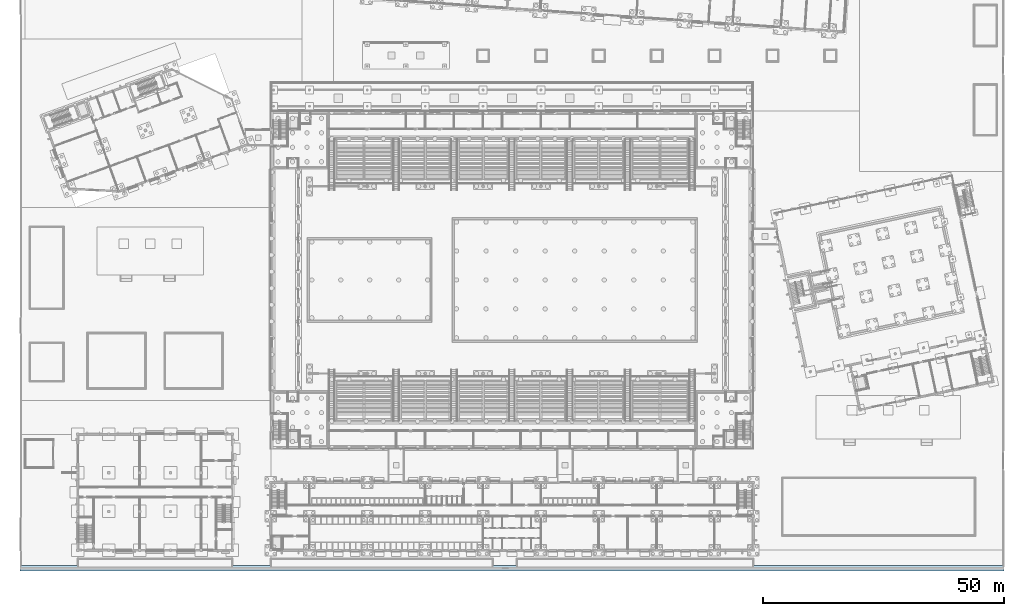
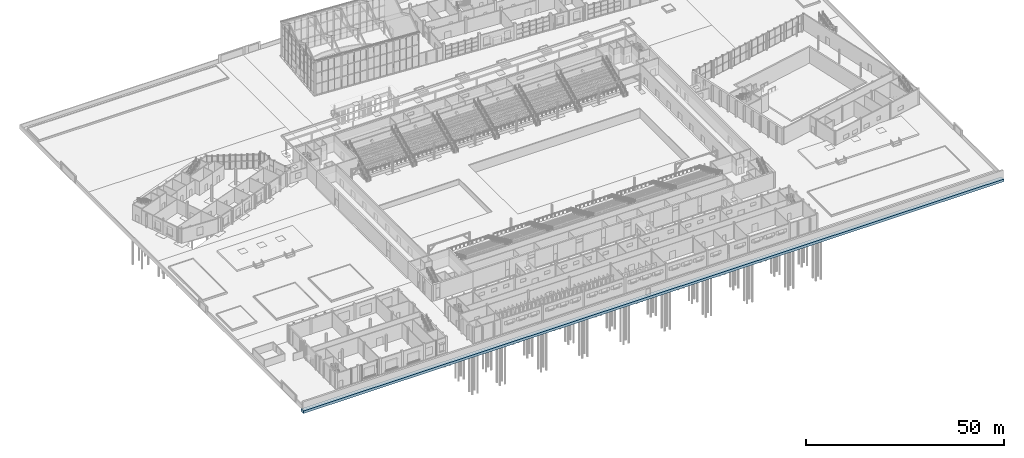
# One storey, part 2 of 157: 1 footing.
"""IFC4 building model written with IfcOpenShell, lengths in metres."""

import ifcopenshell
import ifcopenshell.guid

model = None  # the IFC model being written
_history = None  # IfcOwnerHistory: only IFC2X3 demands one
_inside = {}  # id of a spatial element -> (the spatial element, [elements in it])
_under = {}  # id of a project, library or spatial element -> (it, [spatial elements below it])
_declared = {}  # id of a project -> (the project, [libraries it declares])
_typed = {}  # id of a type object -> (the type object, [elements of that type])
_made_of = {}  # id of a material, layer set ... -> (it, [elements and type objects made of it])


def new_model(schema):
    """Start an empty IFC model of exactly this schema.

    Asked for "IFC4X3", IfcOpenShell would pick the latest addendum, in which some entities
    have other attributes; the version numbers below select the first issue.
    IFC2X3 requires an IfcOwnerHistory on every rooted entity: one is made here for all.
    """
    global model, _history
    if schema == "IFC4X3":
        model = ifcopenshell.file(schema_version=(4, 3, 0, 0))
    else:
        model = ifcopenshell.file(schema=schema)
    _inside.clear()
    _under.clear()
    _declared.clear()
    _typed.clear()
    _made_of.clear()
    _history = None
    if model.schema == "IFC2X3":
        org = make("IfcOrganization", Name="unknown")
        user = make(
            "IfcPersonAndOrganization",
            ThePerson=make("IfcPerson", FamilyName="unknown"),
            TheOrganization=org,
        )
        app = make(
            "IfcApplication",
            ApplicationDeveloper=org,
            Version="unknown",
            ApplicationFullName="unknown",
            ApplicationIdentifier="unknown",
        )
        _history = make(
            "IfcOwnerHistory",
            OwningUser=user,
            OwningApplication=app,
            ChangeAction="ADDED",
            CreationDate=0,
        )
    return model


def make(cls, **values):
    """One entity of the class cls with the attributes given. An attribute that is None is left unset."""
    return model.create_entity(
        cls, **{name: value for name, value in values.items() if value is not None}
    )


def rooted(cls, **values):
    """An entity with a GlobalId (a new one), such as an element, a storey or a relation."""
    return make(cls, GlobalId=ifcopenshell.guid.new(), OwnerHistory=_history, **values)


def si_unit(unit_type, name, prefix=None):
    """IfcSIUnit, for example si_unit("LENGTHUNIT", "METRE", prefix="MILLI")."""
    return make("IfcSIUnit", UnitType=unit_type, Prefix=prefix, Name=name)


def assignment(units):
    """IfcUnitAssignment: the units of a project."""
    return None if units is None else make("IfcUnitAssignment", Units=units)


def point(xyz):
    """IfcCartesianPoint."""
    return None if xyz is None else make("IfcCartesianPoint", Coordinates=xyz)


def direction(xyz):
    """IfcDirection."""
    return None if xyz is None else make("IfcDirection", DirectionRatios=xyz)


def frame(location, z_axis=None, x_axis=None):
    """IfcAxis2Placement3D, a coordinate frame: its origin and axes. An axis left out is left unset."""
    return make(
        "IfcAxis2Placement3D",
        Location=point(location),
        Axis=direction(z_axis),
        RefDirection=direction(x_axis),
    )


def origin():
    """The frame at (0, 0, 0) with its axes left unset."""
    return frame((0.0, 0.0, 0.0))


def place(relative_to, where):
    """IfcLocalPlacement: puts the frame where relative to a parent placement (None: the world)."""
    return make(
        "IfcLocalPlacement", PlacementRelTo=relative_to, RelativePlacement=where
    )


def context(
    kind, dimensions, precision=None, world=None, true_north=None, identifier=None
):
    """IfcGeometricRepresentationContext, for example the 3D "Model" context."""
    return make(
        "IfcGeometricRepresentationContext",
        ContextIdentifier=identifier,
        ContextType=kind,
        CoordinateSpaceDimension=dimensions,
        Precision=precision,
        WorldCoordinateSystem=world,
        TrueNorth=true_north,
    )


def subcontext(parent, identifier, kind, view, scale=None):
    """IfcGeometricRepresentationSubContext, for example "Body" below "Model"."""
    return make(
        "IfcGeometricRepresentationSubContext",
        ContextIdentifier=identifier,
        ContextType=kind,
        ParentContext=parent,
        TargetScale=scale,
        TargetView=view,
    )


def project(units=None, contexts=None):
    """IfcProject with its units and contexts."""
    return rooted(
        "IfcProject",
        Name="project",
        RepresentationContexts=contexts,
        UnitsInContext=assignment(units),
    )


def spatial(cls, under=None, at=None, **own):
    """A site, building, storey or space (cls), placed at a placement, below another one or the project."""
    s = rooted(cls, ObjectPlacement=at, **own)
    if under is not None:
        _under.setdefault(under.id(), (under, []))[1].append(s)
    return s


def polyline(points):
    """IfcPolyline through the points."""
    return make("IfcPolyline", Points=[point(p) for p in points])


def outline(outer, holes=None, kind="AREA"):
    """IfcArbitraryClosedProfileDef: a profile drawn as a closed curve; with holes, ...WithVoids."""
    if holes is None:
        return make("IfcArbitraryClosedProfileDef", ProfileType=kind, OuterCurve=outer)
    return make(
        "IfcArbitraryProfileDefWithVoids",
        ProfileType=kind,
        OuterCurve=outer,
        InnerCurves=holes,
    )


def extrude(swept, where, along, depth):
    """IfcExtrudedAreaSolid: the profile swept, set in the frame where, extruded along a direction by depth."""
    return make(
        "IfcExtrudedAreaSolid",
        SweptArea=swept,
        Position=where,
        ExtrudedDirection=direction(along),
        Depth=depth,
    )


def shape(context_of_items, identifier, shape_type, items):
    """IfcShapeRepresentation: the items that make up one representation, for example the "Body"."""
    return make(
        "IfcShapeRepresentation",
        ContextOfItems=context_of_items,
        RepresentationIdentifier=identifier,
        RepresentationType=shape_type,
        Items=items,
    )


def material(Name=None, Category=None):
    """IfcMaterial."""
    return make("IfcMaterial", Name=Name, Category=Category)


def made_of(thing, what):
    """Note that an element or type object is made of a material, layer set ...; save() writes the relation."""
    if what is not None:
        _made_of.setdefault(what.id(), (what, []))[1].append(thing)
    return thing


def type_object(cls, material=None, **own):
    """A type object (cls), such as IfcWallType, which elements share."""
    return made_of(rooted(cls, **own), material)


def element(
    cls,
    number,
    at=None,
    inside=None,
    cuts=None,
    type_object=None,
    material=None,
    context=None,
    identifier="Body",
    shape_type=None,
    held_by="IfcProductDefinitionShape",
    body=None,
    shapes=None,
    **own,
):
    """One element of the class cls, such as IfcWall. Its Tag is "e" and its number.

    at: its placement. inside: the storey or other place that contains it. cuts: it is an
    opening in that element (IfcRelVoidsElement). A single representation is given by context,
    identifier, shape_type and body (its items); several are given by shapes. held_by: the class
    of the entity that holds the representations. save() writes the other relations.
    """
    e = rooted(cls, Tag="e%d" % number, ObjectPlacement=at, **own)
    if body is not None:
        shapes = [shape(context, identifier, shape_type, body)]
    if shapes is not None:
        e.Representation = make(held_by, Representations=shapes)
    if inside is not None:
        _inside.setdefault(inside.id(), (inside, []))[1].append(e)
    if cuts is not None:
        rooted(
            "IfcRelVoidsElement", RelatingBuildingElement=cuts, RelatedOpeningElement=e
        )
    if type_object is not None:
        _typed.setdefault(type_object.id(), (type_object, []))[1].append(e)
    return made_of(e, material)


def aggregate(whole, parts):
    """IfcRelAggregates: a whole, such as a stair, and the parts it consists of."""
    return rooted("IfcRelAggregates", RelatingObject=whole, RelatedObjects=parts)


def save(model, path):
    """Write the relations noted so far, then the file.

    IfcRelAggregates (storeys below a building ...), IfcRelContainedInSpatialStructure (elements
    in a storey), IfcRelDefinesByType, IfcRelAssociatesMaterial and IfcRelDeclares: one each for
    every whole, place, type object, material and project.
    """
    for whole, parts in _under.values():
        aggregate(whole, parts)
    for where, things in _inside.values():
        rooted(
            "IfcRelContainedInSpatialStructure",
            RelatedElements=things,
            RelatingStructure=where,
        )
    for kind, things in _typed.values():
        rooted("IfcRelDefinesByType", RelatedObjects=things, RelatingType=kind)
    for what, things in _made_of.values():
        rooted("IfcRelAssociatesMaterial", RelatedObjects=things, RelatingMaterial=what)
    for by, libraries in _declared.values():
        rooted("IfcRelDeclares", RelatingContext=by, RelatedDefinitions=libraries)
    model.write(path)


model = new_model("IFC4")

# Units and contexts
model_context = context("Model", 3, precision=1e-05, world=origin(), true_north=direction((0.0, 1.0)))
body_context = subcontext(model_context, "Body", "Model", "MODEL_VIEW")
ifc_project = project(units=[si_unit("LENGTHUNIT", "METRE"), si_unit("AREAUNIT", "SQUARE_METRE"), si_unit("VOLUMEUNIT", "CUBIC_METRE"), si_unit("PLANEANGLEUNIT", "RADIAN"), si_unit("MASSUNIT", "GRAM", prefix="KILO")], contexts=[model_context])

# Site, building, storey
site_placement = place(None, origin())
site = spatial("IfcSite", under=ifc_project, at=site_placement, CompositionType="ELEMENT")
building_placement = place(site_placement, origin())
building = spatial("IfcBuilding", under=site, at=building_placement, Name="Windward Yard Aquatics Centre", CompositionType="ELEMENT")
storey_placement = place(building_placement, origin())
storey = spatial("IfcBuildingStorey", under=building, at=storey_placement, Name="L00", CompositionType="ELEMENT", Elevation=0.0)

# Footing
ifc_material = material(Name="Concrete C35/45", Category="concrete")
footing_type = type_object("IfcFootingType", Name="X Strip Footing 1200 x 800", PredefinedType="STRIP_FOOTING", material=ifc_material)
footing_placement = place(storey_placement, frame((0.0, 0.0, -0.89990234375)))
element("IfcFooting", 1, at=footing_placement, inside=storey, type_object=footing_type, Name="Rail side boundary wall footing", PredefinedType="STRIP_FOOTING", context=body_context, shape_type="SweptSolid", body=[
    extrude(outline(polyline([(0.0, 0.64990234375), (204.0, 0.64990234375), (204.0, 1.85009765625), (0.0, 1.85009765625), (0.0, 0.64990234375)])), origin(), (0.0, 0.0, 1.0), 0.7998046875),
])

save(model, "model.ifc")
